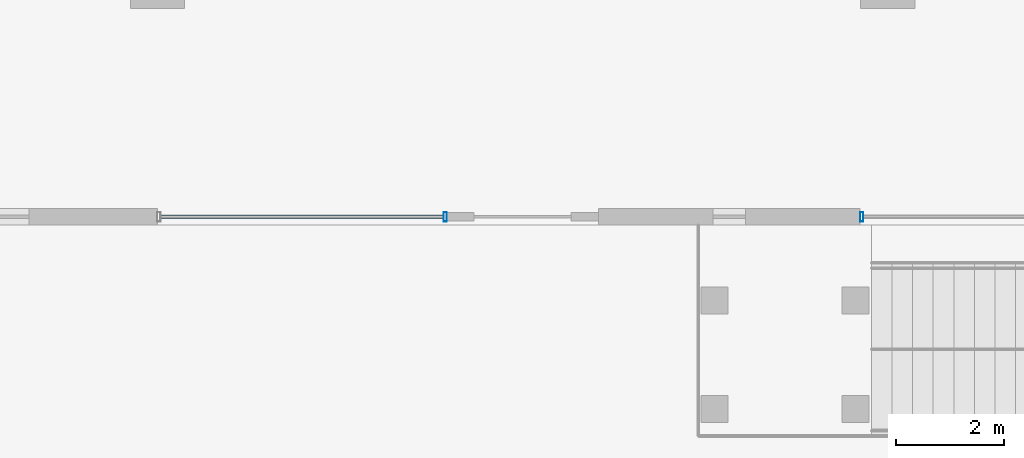
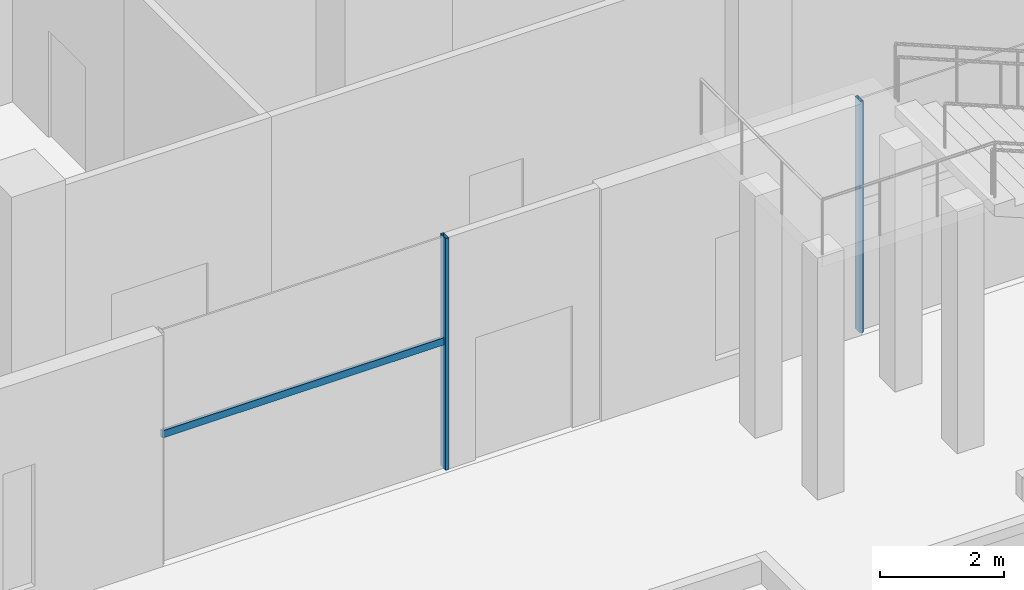
# One storey, part 11 of 49: 3 members, 2 elements without a shape of their own.
"""IFC4 building model written with IfcOpenShell, lengths in metres."""

import ifcopenshell
import ifcopenshell.guid

model = None  # the IFC model being written
_history = None  # IfcOwnerHistory: only IFC2X3 demands one
_inside = {}  # id of a spatial element -> (the spatial element, [elements in it])
_under = {}  # id of a project, library or spatial element -> (it, [spatial elements below it])
_declared = {}  # id of a project -> (the project, [libraries it declares])
_typed = {}  # id of a type object -> (the type object, [elements of that type])
_made_of = {}  # id of a material, layer set ... -> (it, [elements and type objects made of it])


def new_model(schema):
    """Start an empty IFC model of exactly this schema.

    Asked for "IFC4X3", IfcOpenShell would pick the latest addendum, in which some entities
    have other attributes; the version numbers below select the first issue.
    IFC2X3 requires an IfcOwnerHistory on every rooted entity: one is made here for all.
    """
    global model, _history
    if schema == "IFC4X3":
        model = ifcopenshell.file(schema_version=(4, 3, 0, 0))
    else:
        model = ifcopenshell.file(schema=schema)
    _inside.clear()
    _under.clear()
    _declared.clear()
    _typed.clear()
    _made_of.clear()
    _history = None
    if model.schema == "IFC2X3":
        org = make("IfcOrganization", Name="unknown")
        user = make(
            "IfcPersonAndOrganization",
            ThePerson=make("IfcPerson", FamilyName="unknown"),
            TheOrganization=org,
        )
        app = make(
            "IfcApplication",
            ApplicationDeveloper=org,
            Version="unknown",
            ApplicationFullName="unknown",
            ApplicationIdentifier="unknown",
        )
        _history = make(
            "IfcOwnerHistory",
            OwningUser=user,
            OwningApplication=app,
            ChangeAction="ADDED",
            CreationDate=0,
        )
    return model


def make(cls, **values):
    """One entity of the class cls with the attributes given. An attribute that is None is left unset."""
    return model.create_entity(
        cls, **{name: value for name, value in values.items() if value is not None}
    )


def rooted(cls, **values):
    """An entity with a GlobalId (a new one), such as an element, a storey or a relation."""
    return make(cls, GlobalId=ifcopenshell.guid.new(), OwnerHistory=_history, **values)


def si_unit(unit_type, name, prefix=None):
    """IfcSIUnit, for example si_unit("LENGTHUNIT", "METRE", prefix="MILLI")."""
    return make("IfcSIUnit", UnitType=unit_type, Prefix=prefix, Name=name)


def assignment(units):
    """IfcUnitAssignment: the units of a project."""
    return None if units is None else make("IfcUnitAssignment", Units=units)


def point(xyz):
    """IfcCartesianPoint."""
    return None if xyz is None else make("IfcCartesianPoint", Coordinates=xyz)


def direction(xyz):
    """IfcDirection."""
    return None if xyz is None else make("IfcDirection", DirectionRatios=xyz)


def frame(location, z_axis=None, x_axis=None):
    """IfcAxis2Placement3D, a coordinate frame: its origin and axes. An axis left out is left unset."""
    return make(
        "IfcAxis2Placement3D",
        Location=point(location),
        Axis=direction(z_axis),
        RefDirection=direction(x_axis),
    )


def frame_2d(location, x_axis=None):
    """IfcAxis2Placement2D, a coordinate frame in the plane: its origin and x axis."""
    return make(
        "IfcAxis2Placement2D", Location=point(location), RefDirection=direction(x_axis)
    )


def origin():
    """The frame at (0, 0, 0) with its axes left unset."""
    return frame((0.0, 0.0, 0.0))


def origin_2d():
    """The frame at (0, 0) in the plane with its x axis left unset."""
    return frame_2d((0.0, 0.0))


def place(relative_to, where):
    """IfcLocalPlacement: puts the frame where relative to a parent placement (None: the world)."""
    return make(
        "IfcLocalPlacement", PlacementRelTo=relative_to, RelativePlacement=where
    )


def context(
    kind, dimensions, precision=None, world=None, true_north=None, identifier=None
):
    """IfcGeometricRepresentationContext, for example the 3D "Model" context."""
    return make(
        "IfcGeometricRepresentationContext",
        ContextIdentifier=identifier,
        ContextType=kind,
        CoordinateSpaceDimension=dimensions,
        Precision=precision,
        WorldCoordinateSystem=world,
        TrueNorth=true_north,
    )


def subcontext(parent, identifier, kind, view, scale=None):
    """IfcGeometricRepresentationSubContext, for example "Body" below "Model"."""
    return make(
        "IfcGeometricRepresentationSubContext",
        ContextIdentifier=identifier,
        ContextType=kind,
        ParentContext=parent,
        TargetScale=scale,
        TargetView=view,
    )


def project(units=None, contexts=None):
    """IfcProject with its units and contexts."""
    return rooted(
        "IfcProject",
        Name="project",
        RepresentationContexts=contexts,
        UnitsInContext=assignment(units),
    )


def spatial(cls, under=None, at=None, **own):
    """A site, building, storey or space (cls), placed at a placement, below another one or the project."""
    s = rooted(cls, ObjectPlacement=at, **own)
    if under is not None:
        _under.setdefault(under.id(), (under, []))[1].append(s)
    return s


def profile(cls, at=None, kind="AREA", **sizes):
    """A parametric profile (cls). Its sizes go by their IFC names, for example OverallWidth=200.0."""
    return make(cls, ProfileType=kind, Position=at, **sizes)


def hollow_rectangle(**sizes):
    """IfcRectangleHollowProfileDef."""
    return profile("IfcRectangleHollowProfileDef", **sizes)


def extrude(swept, where, along, depth):
    """IfcExtrudedAreaSolid: the profile swept, set in the frame where, extruded along a direction by depth."""
    return make(
        "IfcExtrudedAreaSolid",
        SweptArea=swept,
        Position=where,
        ExtrudedDirection=direction(along),
        Depth=depth,
    )


def shape(context_of_items, identifier, shape_type, items):
    """IfcShapeRepresentation: the items that make up one representation, for example the "Body"."""
    return make(
        "IfcShapeRepresentation",
        ContextOfItems=context_of_items,
        RepresentationIdentifier=identifier,
        RepresentationType=shape_type,
        Items=items,
    )


def material(Name=None, Category=None):
    """IfcMaterial."""
    return make("IfcMaterial", Name=Name, Category=Category)


def material_profile(
    of_material, cross_section, Name=None, Category=None, Priority=None
):
    """IfcMaterialProfile: a cross section and its material."""
    return make(
        "IfcMaterialProfile",
        Name=Name,
        Material=of_material,
        Profile=cross_section,
        Priority=Priority,
        Category=Category,
    )


def profile_set(profiles, Name=None, composite=None):
    """IfcMaterialProfileSet."""
    return make(
        "IfcMaterialProfileSet",
        Name=Name,
        MaterialProfiles=profiles,
        CompositeProfile=composite,
    )


def made_of(thing, what):
    """Note that an element or type object is made of a material, layer set ...; save() writes the relation."""
    if what is not None:
        _made_of.setdefault(what.id(), (what, []))[1].append(thing)
    return thing


def type_object(cls, material=None, **own):
    """A type object (cls), such as IfcWallType, which elements share."""
    return made_of(rooted(cls, **own), material)


def element(
    cls,
    number,
    at=None,
    inside=None,
    cuts=None,
    type_object=None,
    material=None,
    context=None,
    identifier="Body",
    shape_type=None,
    held_by="IfcProductDefinitionShape",
    body=None,
    shapes=None,
    **own,
):
    """One element of the class cls, such as IfcWall. Its Tag is "e" and its number.

    at: its placement. inside: the storey or other place that contains it. cuts: it is an
    opening in that element (IfcRelVoidsElement). A single representation is given by context,
    identifier, shape_type and body (its items); several are given by shapes. held_by: the class
    of the entity that holds the representations. save() writes the other relations.
    """
    e = rooted(cls, Tag="e%d" % number, ObjectPlacement=at, **own)
    if body is not None:
        shapes = [shape(context, identifier, shape_type, body)]
    if shapes is not None:
        e.Representation = make(held_by, Representations=shapes)
    if inside is not None:
        _inside.setdefault(inside.id(), (inside, []))[1].append(e)
    if cuts is not None:
        rooted(
            "IfcRelVoidsElement", RelatingBuildingElement=cuts, RelatedOpeningElement=e
        )
    if type_object is not None:
        _typed.setdefault(type_object.id(), (type_object, []))[1].append(e)
    return made_of(e, material)


def aggregate(whole, parts):
    """IfcRelAggregates: a whole, such as a stair, and the parts it consists of."""
    return rooted("IfcRelAggregates", RelatingObject=whole, RelatedObjects=parts)


def save(model, path):
    """Write the relations noted so far, then the file.

    IfcRelAggregates (storeys below a building ...), IfcRelContainedInSpatialStructure (elements
    in a storey), IfcRelDefinesByType, IfcRelAssociatesMaterial and IfcRelDeclares: one each for
    every whole, place, type object, material and project.
    """
    for whole, parts in _under.values():
        aggregate(whole, parts)
    for where, things in _inside.values():
        rooted(
            "IfcRelContainedInSpatialStructure",
            RelatedElements=things,
            RelatingStructure=where,
        )
    for kind, things in _typed.values():
        rooted("IfcRelDefinesByType", RelatedObjects=things, RelatingType=kind)
    for what, things in _made_of.values():
        rooted("IfcRelAssociatesMaterial", RelatedObjects=things, RelatingMaterial=what)
    for by, libraries in _declared.values():
        rooted("IfcRelDeclares", RelatingContext=by, RelatedDefinitions=libraries)
    model.write(path)


model = new_model("IFC4")

# Units and contexts
model_context = context("Model", 3, precision=1e-05, world=origin(), true_north=direction((0.0, 1.0)))
body_context = subcontext(model_context, "Body", "Model", "MODEL_VIEW")
ifc_project = project(units=[si_unit("LENGTHUNIT", "METRE"), si_unit("AREAUNIT", "SQUARE_METRE"), si_unit("VOLUMEUNIT", "CUBIC_METRE"), si_unit("PLANEANGLEUNIT", "RADIAN"), si_unit("MASSUNIT", "GRAM", prefix="KILO")], contexts=[model_context])

# Site, building, storey
site_placement = place(None, origin())
site = spatial("IfcSite", under=ifc_project, at=site_placement, CompositionType="ELEMENT")
building_placement = place(site_placement, origin())
building = spatial("IfcBuilding", under=site, at=building_placement, Name="Altepetl Exchange Towers", CompositionType="ELEMENT")
storey_placement = place(building_placement, frame((0.0, 0.0, 11.5)))
storey = spatial("IfcBuildingStorey", under=building, at=storey_placement, Name="L02 Exchange podium", CompositionType="ELEMENT", Elevation=11.5)

# Curtain wall, member
ifc_material_1 = material(Name="Aluminium 6063-T6 glazing", Category="aluminium")
curtain_wall_type = type_object("IfcCurtainWallType", Name="Podium storefront system", PredefinedType="NOTDEFINED", material=ifc_material_1)
curtain_wall_1_placement = place(storey_placement, origin())
curtain_wall_1 = element("IfcCurtainWall", 1, at=curtain_wall_1_placement, inside=storey, type_object=curtain_wall_type, Name="CW5 run", PredefinedType="NOTDEFINED")
ifc_material_2 = material(Name="Aluminium 6063-T6", Category="aluminium")
ifc_material_profile_1 = material_profile(ifc_material_2, hollow_rectangle(XDim=0.06005859375, YDim=0.175048828125, WallThickness=0.0029296875, at=origin_2d()), Name="Mullion 60x175 aluminium")
ifc_profile_set_1 = profile_set([ifc_material_profile_1], Name="Aluminium 6063-T6")
member_type_1 = type_object("IfcMemberType", Name="Mullion 60x175 aluminium", PredefinedType="MULLION", material=ifc_profile_set_1)
member_1_placement = place(storey_placement, frame((95.320068359375, 18.14990234375, 0.0)))
member_1 = element("IfcMember", 2, at=member_1_placement, type_object=member_type_1, Name="MU4 mullion", PredefinedType="MULLION", context=body_context, shape_type="SweptSolid", body=[
    extrude(hollow_rectangle(XDim=0.06005859375, YDim=0.175048828125, WallThickness=0.0029296875, at=origin_2d()), origin(), (0.0, 0.0, 1.0), 4.550048828125),
])

curtain_wall_2_placement = place(storey_placement, origin())
curtain_wall_2 = element("IfcCurtainWall", 3, at=curtain_wall_2_placement, inside=storey, type_object=curtain_wall_type, Name="CW5 run", PredefinedType="NOTDEFINED")
member_2_placement = place(storey_placement, frame((103.02001953125, 18.14990234375, 0.0)))
member_2 = element("IfcMember", 4, at=member_2_placement, type_object=member_type_1, Name="MU4 mullion", PredefinedType="MULLION", context=body_context, shape_type="SweptSolid", body=[
    extrude(hollow_rectangle(XDim=0.06005859375, YDim=0.175048828125, WallThickness=0.0029296875, at=origin_2d()), origin(), (0.0, 0.0, 1.0), 4.550048828125),
])
aggregate(curtain_wall_2, [member_2])

# Member
ifc_material_profile_2 = material_profile(ifc_material_2, hollow_rectangle(XDim=0.06005859375, YDim=0.139892578125, WallThickness=0.0029296875, at=origin_2d()), Name="Transom 60x140 aluminium")
ifc_profile_set_2 = profile_set([ifc_material_profile_2], Name="Aluminium 6063-T6")
member_type_2 = type_object("IfcMemberType", Name="Transom 60x140 aluminium", PredefinedType="USERDEFINED", material=ifc_profile_set_2)
member_3_placement = place(storey_placement, frame((90.06005859375, 18.14990234375, 2.5), z_axis=(1.0, 0.0, 0.0), x_axis=(0.0, 1.0, 0.0)))
member_3 = element("IfcMember", 5, at=member_3_placement, type_object=member_type_2, Name="TR3 transom", ObjectType="TRANSOM", PredefinedType="USERDEFINED", context=body_context, shape_type="SweptSolid", body=[
    extrude(hollow_rectangle(XDim=0.06005859375, YDim=0.139892578125, WallThickness=0.0029296875, at=origin_2d()), origin(), (0.0, 0.0, 1.0), 5.22998046875),
])

aggregate(curtain_wall_1, [member_1, member_3])

save(model, "model.ifc")
